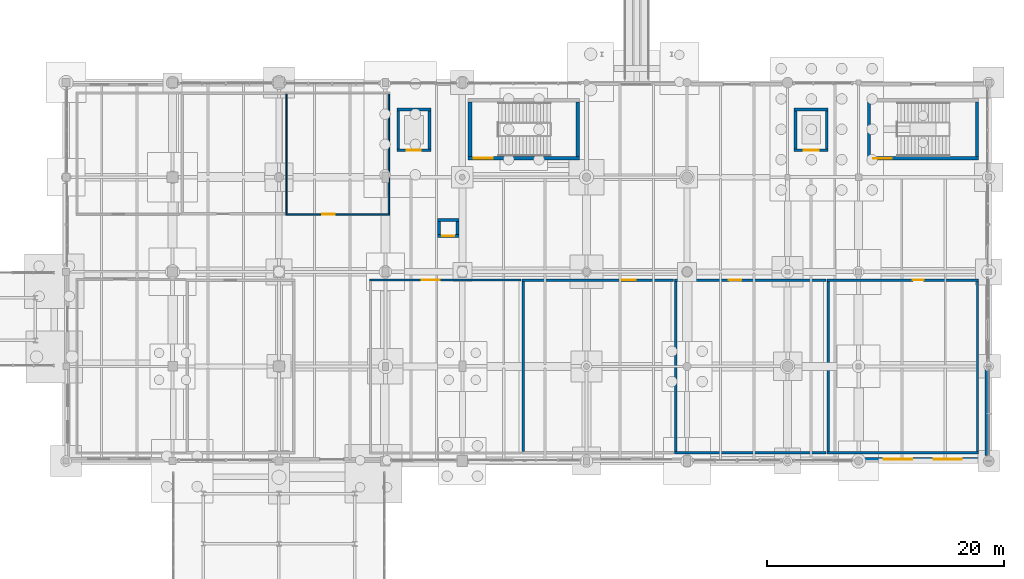
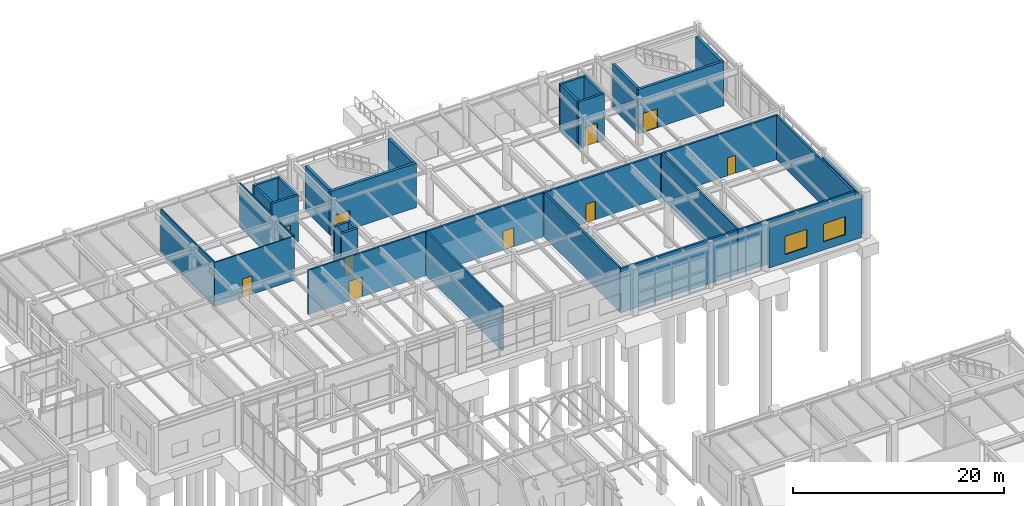
# One storey, part 182 of 203: 33 walls, 10 doors, 2 windows, 12 openings.
"""IFC4 building model written with IfcOpenShell, lengths in metres."""

from ifc_helpers import new_model, si_unit, direction, frame, frame_2d, origin, place, context, subcontext, project, spatial, rectangle, extrude, material, layer, layer_set, type_object, element, fill, save


model = new_model("IFC4")

# Units and contexts
model_context = context("Model", 3, precision=1e-05, world=origin(), true_north=direction((0.0, 1.0)))
body_context = subcontext(model_context, "Body", "Model", "MODEL_VIEW")
ifc_project = project(units=[si_unit("LENGTHUNIT", "METRE"), si_unit("AREAUNIT", "SQUARE_METRE"), si_unit("VOLUMEUNIT", "CUBIC_METRE"), si_unit("PLANEANGLEUNIT", "RADIAN"), si_unit("MASSUNIT", "GRAM", prefix="KILO"), si_unit("THERMODYNAMICTEMPERATUREUNIT", "KELVIN"), si_unit("POWERUNIT", "WATT")], contexts=[model_context])

# Site, building, storey
site_placement = place(None, origin())
site = spatial("IfcSite", under=ifc_project, at=site_placement, CompositionType="ELEMENT")
building_placement = place(site_placement, origin())
building = spatial("IfcBuilding", under=site, at=building_placement, Name="Tepalcoro Natatorium and Aquatics Centre", CompositionType="ELEMENT")
storey_placement = place(building_placement, origin())
storey = spatial("IfcBuildingStorey", under=building, at=storey_placement, Name="L00", CompositionType="ELEMENT", Elevation=0.0)

# Wall, openings, windows
ifc_material_1 = material(Name="Precast Concrete C45/55 (fc 45 MPa)", Category="concrete")
ifc_layer_1 = layer(ifc_material_1, 0.284912109375)
ifc_layer_set_1 = layer_set([ifc_layer_1], Name="Precast Concrete C45/55 (fc 45 MPa)")
wall_type_1 = type_object("IfcWallType", Name="WL_EXT_INSUL_280", PredefinedType="SOLIDWALL", material=ifc_layer_set_1)
wall_1_placement = place(storey_placement, frame((165.35400390625, 86.142578125, 0.0), z_axis=(0.0, 0.0, 1.0), x_axis=(1.0, 0.0, 0.0)))
wall_1 = element("IfcWall", 1, at=wall_1_placement, inside=storey, type_object=wall_type_1, Name="V5 L00 S Volcanic Basalt Envelope Wall", PredefinedType="SOLIDWALL", context=body_context, shape_type="SweptSolid", body=[
    extrude(rectangle(XDim=10.19189453125, YDim=0.284912109375, at=frame_2d((5.095947265625, 0.0))), origin(), (0.0, 0.0, 1.0), 4.64990234375),
])
opening_1_placement = place(wall_1_placement, frame((1.79736328125, 0.0, 0.949951171875)))
opening_1 = element("IfcOpeningElement", 2, at=opening_1_placement, cuts=wall_1, Name="Opening W0085A", PredefinedType="OPENING", context=body_context, shape_type="SweptSolid", body=[
    extrude(rectangle(XDim=2.39990234375, YDim=2.10009765625, at=frame_2d((1.199951171875, 1.050048828125))), frame((0.0, 0.154296875, 0.0), z_axis=(0.0, -1.0, 0.0), x_axis=(1.0, 0.0, 0.0)), (0.0, 0.0, 1.0), 0.308837890625),
])
opening_2_placement = place(wall_1_placement, frame((5.99462890625, 0.0, 0.949951171875)))
opening_2 = element("IfcOpeningElement", 3, at=opening_2_placement, cuts=wall_1, Name="Opening W0085B", PredefinedType="OPENING", context=body_context, shape_type="SweptSolid", body=[
    extrude(rectangle(XDim=2.39990234375, YDim=2.10009765625, at=frame_2d((1.199951171875, 1.050048828125))), frame((0.0, 0.154296875, 0.0), z_axis=(0.0, -1.0, 0.0), x_axis=(1.0, 0.0, 0.0)), (0.0, 0.0, 1.0), 0.308837890625),
])
ifc_material_2 = material(Name="Solar-Control Bronze Tempered Low-E Double Glazing", Category="glass")
window_type = type_object("IfcWindowType", Name="WN_240x210", PartitioningType="SINGLE_PANEL", PredefinedType="WINDOW", material=ifc_material_2)
window_1_placement = place(opening_1_placement, origin())
window_1 = element("IfcWindow", 4, at=window_1_placement, inside=storey, type_object=window_type, Name="Exterior Thermal Window WN_240x210", OverallHeight=2.10009765625, OverallWidth=2.39990234375, PartitioningType="SINGLE_PANEL", PredefinedType="WINDOW", context=body_context, shape_type="SweptSolid", body=[
    extrude(rectangle(XDim=2.39990234375, YDim=2.10009765625, at=frame_2d((1.199951171875, 1.050048828125))), frame((0.0, 0.030029296875, 0.0), z_axis=(0.0, -1.0, 0.0), x_axis=(1.0, 0.0, 0.0)), (0.0, 0.0, 1.0), 0.06005859375),
])
fill(opening_1, window_1)
window_2_placement = place(opening_2_placement, origin())
window_2 = element("IfcWindow", 5, at=window_2_placement, inside=storey, type_object=window_type, Name="Exterior Thermal Window WN_240x210", OverallHeight=2.10009765625, OverallWidth=2.39990234375, PartitioningType="SINGLE_PANEL", PredefinedType="WINDOW", context=body_context, shape_type="SweptSolid", body=[
    extrude(rectangle(XDim=2.39990234375, YDim=2.10009765625, at=frame_2d((1.199951171875, 1.050048828125))), frame((0.0, 0.030029296875, 0.0), z_axis=(0.0, -1.0, 0.0), x_axis=(1.0, 0.0, 0.0)), (0.0, 0.0, 1.0), 0.06005859375),
])
fill(opening_2, window_2)

# Wall
ifc_material_3 = material(Name="Jalisco Cantera Rosa Volcanic Tuff Ashlar Masonry", Category="masonry")
ifc_layer_2 = layer(ifc_material_3, 0.304931640625)
ifc_layer_set_2 = layer_set([ifc_layer_2], Name="Jalisco Cantera Rosa Volcanic Tuff Ashlar Masonry")
wall_type_2 = type_object("IfcWallType", Name="WL_EXT_TERRACOTTA_300", PredefinedType="SOLIDWALL", material=ifc_layer_set_2)
wall_2_placement = place(storey_placement, frame((175.847412109375, 86.4541015625, 0.0), z_axis=(0.0, 0.0, 1.0), x_axis=(0.0, 1.0, 0.0)))
element("IfcWall", 6, at=wall_2_placement, inside=storey, type_object=wall_type_2, Name="V5 L00 E Volcanic Basalt Envelope Wall", PredefinedType="SOLIDWALL", context=body_context, shape_type="SweptSolid", body=[
    extrude(rectangle(XDim=7.341796875, YDim=0.304931640625, at=frame_2d((3.6708984375, 0.0))), origin(), (0.0, 0.0, 1.0), 4.498046875),
])

# Wall, opening, door
ifc_material_4 = material(Name="Moisture-Resistant Acoustic Gypsum Drywall on Cold-Formed Metal Studs")
ifc_layer_3 = layer(ifc_material_4, 0.125)
ifc_layer_set_3 = layer_set([ifc_layer_3], Name="Moisture-Resistant Acoustic Gypsum Drywall on Cold-Formed Metal Studs")
wall_type_3 = type_object("IfcWallType", Name="WL_PART_125", PredefinedType="PARTITIONING", material=ifc_layer_set_3)
wall_3_placement = place(storey_placement, frame((116.572998046875, 106.862548828125, 0.0), z_axis=(0.0, 0.0, 1.0), x_axis=(1.0, 0.0, 0.0)))
wall_3 = element("IfcWall", 7, at=wall_3_placement, inside=storey, type_object=wall_type_3, Name="Facility Administration & Security Control Office Partition S", PredefinedType="PARTITIONING", context=body_context, shape_type="SweptSolid", body=[
    extrude(rectangle(XDim=8.787109375, YDim=0.125, at=frame_2d((4.3935546875, 0.0))), origin(), (0.0, 0.0, 1.0), 5.125),
])
opening_3_placement = place(wall_3_placement, frame((3.072021484375, 0.0, 0.0)))
opening_3 = element("IfcOpeningElement", 8, at=opening_3_placement, cuts=wall_3, Name="Opening D0114", PredefinedType="OPENING", context=body_context, shape_type="SweptSolid", body=[
    extrude(rectangle(XDim=1.050048828125, YDim=2.14990234375, at=frame_2d((0.52490234375, 1.074951171875))), frame((0.0, 0.074462890625, 0.0), z_axis=(0.0, -1.0, 0.0), x_axis=(1.0, 0.0, 0.0)), (0.0, 0.0, 1.0), 0.14892578125),
])
ifc_material_5 = material(Name="Solid-Core Moisture-Sealed Oak Timber Leaf in Aluminium Frame", Category="wood")
door_type_1 = type_object("IfcDoorType", Name="DR_105x215_ACC", OperationType="NOTDEFINED", PredefinedType="DOOR", material=ifc_material_5)
door_1_placement = place(opening_3_placement, origin())
door_1 = element("IfcDoor", 9, at=door_1_placement, inside=storey, type_object=door_type_1, Name="Facility Administration & Security Control Office Door", OperationType="SINGLE_SWING_LEFT", OverallHeight=2.14990234375, OverallWidth=1.050048828125, PredefinedType="DOOR", context=body_context, shape_type="SweptSolid", body=[
    extrude(rectangle(XDim=1.050048828125, YDim=2.14990234375, at=frame_2d((0.52490234375, 1.074951171875))), frame((0.0, 0.02490234375, 0.0), z_axis=(0.0, -1.0, 0.0), x_axis=(1.0, 0.0, 0.0)), (0.0, 0.0, 1.0), 0.050048828125),
])
fill(opening_3, door_1)

# Walls
for number, where, z_axis, x_axis, name in (
    (10, (125.297607421875, 106.925048828125, 0.0), (0.0, 0.0, 1.0), (0.0, 1.0, 0.0), "Facility Administration & Security Control Office Partition E"),
    (11, (116.635498046875, 106.925048828125, 0.0), (0.0, 0.0, 1.0), (0.0, 1.0, 0.0), "Facility Administration & Security Control Office Partition W"),
):
    element("IfcWall", number, at=place(storey_placement, frame(where, z_axis=z_axis, x_axis=x_axis)), inside=storey, type_object=wall_type_3, Name=name, PredefinedType="PARTITIONING", context=body_context, shape_type="SweptSolid", body=[
        extrude(rectangle(XDim=10.14990234375, YDim=0.125, at=frame_2d((5.074951171875, 0.0))), origin(), (0.0, 0.0, 1.0), 5.125),
    ])

# Wall, opening, door
ifc_layer_4 = layer(ifc_material_4, 0.179931640625)
ifc_layer_set_4 = layer_set([ifc_layer_4], Name="Moisture-Resistant Acoustic Gypsum Drywall on Cold-Formed Metal Studs")
wall_type_4 = type_object("IfcWallType", Name="WL_PART_180_AC", PredefinedType="PARTITIONING", material=ifc_layer_set_4)
wall_4_placement = place(storey_placement, frame((123.639892578125, 101.31005859375, 0.0), z_axis=(0.0, 0.0, 1.0), x_axis=(1.0, 0.0, 0.0)))
wall_4 = element("IfcWall", 12, at=wall_4_placement, inside=storey, type_object=wall_type_4, Name="Media Mixed-Zone & Press Interview Theatre Partition N", PredefinedType="PARTITIONING", context=body_context, shape_type="SweptSolid", body=[
    extrude(rectangle(XDim=12.820068359375, YDim=0.179931640625, at=frame_2d((6.41015625, 0.0))), origin(), (0.0, 0.0, 1.0), 5.125),
])
opening_4_placement = place(wall_4_placement, frame((4.43359375, 0.0, 0.0)))
opening_4 = element("IfcOpeningElement", 13, at=opening_4_placement, cuts=wall_4, Name="Opening D0108", PredefinedType="OPENING", context=body_context, shape_type="SweptSolid", body=[
    extrude(rectangle(XDim=1.5, YDim=2.300048828125, at=frame_2d((0.75, 1.14990234375))), frame((0.0, 0.10205078125, 0.0), z_axis=(0.0, -1.0, 0.0), x_axis=(1.0, 0.0, 0.0)), (0.0, 0.0, 1.0), 0.203857421875),
])
ifc_material_6 = material(Name="Galvanised Steel Insulated Acoustic Fire Door Assembly", Category="steel")
door_type_2 = type_object("IfcDoorType", Name="DR_150x230_FD60", OperationType="NOTDEFINED", PredefinedType="DOOR", material=ifc_material_6)
door_2_placement = place(opening_4_placement, frame((1.5, 0.0, 0.0), z_axis=(0.0, 0.0, 1.0), x_axis=(-1.0, 0.0, 0.0)))
door_2 = element("IfcDoor", 14, at=door_2_placement, inside=storey, type_object=door_type_2, Name="Media Mixed-Zone & Press Interview Theatre Door", OperationType="DOUBLE_DOOR_SINGLE_SWING", OverallHeight=2.300048828125, OverallWidth=1.5, PredefinedType="DOOR", context=body_context, shape_type="SweptSolid", body=[
    extrude(rectangle(XDim=1.5, YDim=2.300048828125, at=frame_2d((0.75, 1.14990234375))), frame((0.0, 0.02490234375, 0.0), z_axis=(0.0, -1.0, 0.0), x_axis=(1.0, 0.0, 0.0)), (0.0, 0.0, 1.0), 0.050048828125),
])
fill(opening_4, door_2)

# Wall
ifc_material_7 = material(Name="Ceramic-Tiled Moisture-Resistant Masonry Blockwork", Category="masonry")
ifc_layer_5 = layer(ifc_material_7, 0.199951171875)
ifc_layer_set_5 = layer_set([ifc_layer_5], Name="Ceramic-Tiled Moisture-Resistant Masonry Blockwork")
wall_type_5 = type_object("IfcWallType", Name="WL_PLUMB_200", PredefinedType="PLUMBINGWALL", material=ifc_layer_set_5)
wall_5_placement = place(storey_placement, frame((162.340087890625, 86.699951171875, 0.0), z_axis=(0.0, 0.0, 1.0), x_axis=(1.0, 0.0, 0.0)))
element("IfcWall", 15, at=wall_5_placement, inside=storey, type_object=wall_type_5, Name="Public Accessible WC Partition S", PredefinedType="PLUMBINGWALL", context=body_context, shape_type="SweptSolid", body=[
    extrude(rectangle(XDim=12.81982421875, YDim=0.199951171875, at=frame_2d((6.409912109375, 0.0))), origin(), (0.0, 0.0, 1.0), 5.125),
])

# Wall, opening, door
wall_6_placement = place(storey_placement, frame((162.340087890625, 101.300048828125, 0.0), z_axis=(0.0, 0.0, 1.0), x_axis=(1.0, 0.0, 0.0)))
wall_6 = element("IfcWall", 16, at=wall_6_placement, inside=storey, type_object=wall_type_5, Name="Public Accessible WC Partition N", PredefinedType="PLUMBINGWALL", context=body_context, shape_type="SweptSolid", body=[
    extrude(rectangle(XDim=12.81982421875, YDim=0.199951171875, at=frame_2d((6.409912109375, 0.0))), origin(), (0.0, 0.0, 1.0), 5.125),
])
opening_5_placement = place(wall_6_placement, frame((7.25830078125, 0.0, 0.0)))
opening_5 = element("IfcOpeningElement", 17, at=opening_5_placement, cuts=wall_6, Name="Opening D0111", PredefinedType="OPENING", context=body_context, shape_type="SweptSolid", body=[
    extrude(rectangle(XDim=0.89990234375, YDim=2.10009765625, at=frame_2d((0.449951171875, 1.050048828125))), frame((0.0, 0.11181640625, 0.0), z_axis=(0.0, -1.0, 0.0), x_axis=(1.0, 0.0, 0.0)), (0.0, 0.0, 1.0), 0.223876953125),
])
door_type_3 = type_object("IfcDoorType", Name="DR_095x215_WC", OperationType="NOTDEFINED", PredefinedType="DOOR", material=ifc_material_5)
door_3_placement = place(opening_5_placement, frame((0.89990234375, 0.0, 0.0), z_axis=(0.0, 0.0, 1.0), x_axis=(-1.0, 0.0, 0.0)))
door_3 = element("IfcDoor", 18, at=door_3_placement, inside=storey, type_object=door_type_3, Name="Public Accessible WC Door", OperationType="SINGLE_SWING_RIGHT", OverallHeight=2.10009765625, OverallWidth=0.89990234375, PredefinedType="DOOR", context=body_context, shape_type="SweptSolid", body=[
    extrude(rectangle(XDim=0.89990234375, YDim=2.10009765625, at=frame_2d((0.449951171875, 1.050048828125))), frame((0.0, 0.02490234375, 0.0), z_axis=(0.0, -1.0, 0.0), x_axis=(1.0, 0.0, 0.0)), (0.0, 0.0, 1.0), 0.050048828125),
])
fill(opening_5, door_3)

# Walls
for number, where, z_axis, x_axis, name in (
    (19, (175.06005859375, 86.800048828125, 0.0), (0.0, 0.0, 1.0), (0.0, 1.0, 0.0), "Public Accessible WC Partition E"),
    (20, (162.43994140625, 86.800048828125, 0.0), (0.0, 0.0, 1.0), (0.0, 1.0, 0.0), "Public Accessible WC Partition W"),
):
    element("IfcWall", number, at=place(storey_placement, frame(where, z_axis=z_axis, x_axis=x_axis)), inside=storey, type_object=wall_type_5, Name=name, PredefinedType="PLUMBINGWALL", context=body_context, shape_type="SweptSolid", body=[
        extrude(rectangle(XDim=14.39990234375, YDim=0.199951171875, at=frame_2d((7.199951171875, 0.0))), origin(), (0.0, 0.0, 1.0), 5.125),
    ])
ifc_layer_6 = layer(ifc_material_7, 0.219970703125)
ifc_layer_set_6 = layer_set([ifc_layer_6], Name="Ceramic-Tiled Moisture-Resistant Masonry Blockwork")
wall_type_6 = type_object("IfcWallType", Name="WL_PLUMB_220", PredefinedType="PLUMBINGWALL", material=ifc_layer_set_6)
wall_7_placement = place(storey_placement, frame((149.43994140625, 86.7099609375, 0.0), z_axis=(0.0, 0.0, 1.0), x_axis=(1.0, 0.0, 0.0)))
element("IfcWall", 21, at=wall_7_placement, inside=storey, type_object=wall_type_6, Name="North Wing Public Male & Female Toilets Partition S", PredefinedType="PLUMBINGWALL", context=body_context, shape_type="SweptSolid", body=[
    extrude(rectangle(XDim=12.820068359375, YDim=0.219970703125, at=frame_2d((6.41015625, 0.0))), origin(), (0.0, 0.0, 1.0), 5.125),
])

# Wall, opening, door
wall_8_placement = place(storey_placement, frame((149.43994140625, 101.2900390625, 0.0), z_axis=(0.0, 0.0, 1.0), x_axis=(1.0, 0.0, 0.0)))
wall_8 = element("IfcWall", 22, at=wall_8_placement, inside=storey, type_object=wall_type_6, Name="North Wing Public Male & Female Toilets Partition N", PredefinedType="PLUMBINGWALL", context=body_context, shape_type="SweptSolid", body=[
    extrude(rectangle(XDim=12.820068359375, YDim=0.219970703125, at=frame_2d((6.41015625, 0.0))), origin(), (0.0, 0.0, 1.0), 5.125),
])
opening_6_placement = place(wall_8_placement, frame((4.6044921875, 0.0, 0.0)))
opening_6 = element("IfcOpeningElement", 23, at=opening_6_placement, cuts=wall_8, Name="Opening D0110", PredefinedType="OPENING", context=body_context, shape_type="SweptSolid", body=[
    extrude(rectangle(XDim=1.050048828125, YDim=2.14990234375, at=frame_2d((0.52490234375, 1.074951171875))), frame((0.0, 0.1220703125, 0.0), z_axis=(0.0, -1.0, 0.0), x_axis=(1.0, 0.0, 0.0)), (0.0, 0.0, 1.0), 0.243896484375),
])
door_4_placement = place(opening_6_placement, frame((1.050048828125, 0.0, 0.0), z_axis=(0.0, 0.0, 1.0), x_axis=(-1.0, 0.0, 0.0)))
door_4 = element("IfcDoor", 24, at=door_4_placement, inside=storey, type_object=door_type_1, Name="North Wing Public Male & Female Toilets Door", OperationType="SINGLE_SWING_LEFT", OverallHeight=2.14990234375, OverallWidth=1.050048828125, PredefinedType="DOOR", context=body_context, shape_type="SweptSolid", body=[
    extrude(rectangle(XDim=1.050048828125, YDim=2.14990234375, at=frame_2d((0.52490234375, 1.074951171875))), frame((0.0, 0.02490234375, 0.0), z_axis=(0.0, -1.0, 0.0), x_axis=(1.0, 0.0, 0.0)), (0.0, 0.0, 1.0), 0.050048828125),
])
fill(opening_6, door_4)

# Wall
wall_9_placement = place(storey_placement, frame((149.550048828125, 86.820068359375, 0.0), z_axis=(0.0, 0.0, 1.0), x_axis=(0.0, 1.0, 0.0)))
element("IfcWall", 25, at=wall_9_placement, inside=storey, type_object=wall_type_6, Name="North Wing Public Male & Female Toilets Partition W", PredefinedType="PLUMBINGWALL", context=body_context, shape_type="SweptSolid", body=[
    extrude(rectangle(XDim=14.35986328125, YDim=0.219970703125, at=frame_2d((7.179931640625, 0.0))), origin(), (0.0, 0.0, 1.0), 5.125),
])

# Wall, opening, door
ifc_material_8 = material(Name="Concrete C40/50 (fc 40 MPa)", Category="concrete")
ifc_layer_7 = layer(ifc_material_8, 0.239990234375)
ifc_layer_set_7 = layer_set([ifc_layer_7], Name="Concrete C40/50 (fc 40 MPa)")
wall_type_7 = type_object("IfcWallType", Name="WL_SHAFT_240", PredefinedType="SOLIDWALL", material=ifc_layer_set_7)
wall_10_placement = place(storey_placement, frame((125.9599609375, 112.280029296875, 0.0), z_axis=(0.0, 0.0, 1.0), x_axis=(1.0, 0.0, 0.0)))
wall_10 = element("IfcWall", 26, at=wall_10_placement, inside=storey, type_object=wall_type_7, Name="LF05 Lift Shaft Wall S L00", PredefinedType="SOLIDWALL", context=body_context, shape_type="SweptSolid", body=[
    extrude(rectangle(XDim=2.880126953125, YDim=0.239990234375, at=frame_2d((1.43994140625, 0.0))), origin(), (0.0, 0.0, 1.0), 5.39990234375),
])
opening_7_placement = place(wall_10_placement, frame((0.840087890625, 0.0, 0.0)))
opening_7 = element("IfcOpeningElement", 27, at=opening_7_placement, cuts=wall_10, Name="Opening LD-LF05-L00", PredefinedType="OPENING", context=body_context, shape_type="SweptSolid", body=[
    extrude(rectangle(XDim=1.199951171875, YDim=2.199951171875, at=frame_2d((0.60009765625, 1.10009765625))), frame((0.0, 0.1318359375, 0.0), z_axis=(0.0, -1.0, 0.0), x_axis=(1.0, 0.0, 0.0)), (0.0, 0.0, 1.0), 0.263916015625),
])
ifc_material_9 = material(Name="Marine-Grade Brushed Stainless Steel AISI 316L", Category="steel")
door_type_4 = type_object("IfcDoorType", Name="DR_120x220_LIFT", OperationType="NOTDEFINED", PredefinedType="USERDEFINED", material=ifc_material_9)
door_5_placement = place(opening_7_placement, origin())
door_5 = element("IfcDoor", 28, at=door_5_placement, inside=storey, type_object=door_type_4, Name="LF05 Lift Landing Sliding Door (L00)", ObjectType="SLIDING LANDING DOOR", OperationType="SLIDING_TO_LEFT", OverallHeight=2.199951171875, OverallWidth=1.199951171875, PredefinedType="USERDEFINED", context=body_context, shape_type="SweptSolid", body=[
    extrude(rectangle(XDim=1.199951171875, YDim=2.199951171875, at=frame_2d((0.60009765625, 1.10009765625))), frame((0.0, 0.02490234375, 0.0), z_axis=(0.0, -1.0, 0.0), x_axis=(1.0, 0.0, 0.0)), (0.0, 0.0, 1.0), 0.050048828125),
])
fill(opening_7, door_5)

# Walls
wall_11_placement = place(storey_placement, frame((125.9599609375, 115.719970703125, 0.0), z_axis=(0.0, 0.0, 1.0), x_axis=(1.0, 0.0, 0.0)))
element("IfcWall", 29, at=wall_11_placement, inside=storey, type_object=wall_type_7, Name="LF05 Lift Shaft Wall N L00", PredefinedType="SOLIDWALL", context=body_context, shape_type="SweptSolid", body=[
    extrude(rectangle(XDim=2.880126953125, YDim=0.239990234375, at=frame_2d((1.43994140625, 0.0))), origin(), (0.0, 0.0, 1.0), 5.39990234375),
])
for number, where, z_axis, x_axis, name in (
    (30, (126.080078125, 112.39990234375, 0.0), (0.0, 0.0, 1.0), (0.0, 1.0, 0.0), "LF05 Lift Shaft Wall W L00"),
    (31, (128.719970703125, 112.39990234375, 0.0), (0.0, 0.0, 1.0), (0.0, 1.0, 0.0), "LF05 Lift Shaft Wall E L00"),
):
    element("IfcWall", number, at=place(storey_placement, frame(where, z_axis=z_axis, x_axis=x_axis)), inside=storey, type_object=wall_type_7, Name=name, PredefinedType="SOLIDWALL", context=body_context, shape_type="SweptSolid", body=[
        extrude(rectangle(XDim=3.2001953125, YDim=0.239990234375, at=frame_2d((1.60009765625, 0.0))), origin(), (0.0, 0.0, 1.0), 5.39990234375),
    ])

# Wall, opening, door
wall_12_placement = place(storey_placement, frame((159.56005859375, 112.280029296875, 0.0), z_axis=(0.0, 0.0, 1.0), x_axis=(1.0, 0.0, 0.0)))
wall_12 = element("IfcWall", 32, at=wall_12_placement, inside=storey, type_object=wall_type_7, Name="LF06 Lift Shaft Wall S L00", PredefinedType="SOLIDWALL", context=body_context, shape_type="SweptSolid", body=[
    extrude(rectangle(XDim=2.8798828125, YDim=0.239990234375, at=frame_2d((1.43994140625, 0.0))), origin(), (0.0, 0.0, 1.0), 5.39990234375),
])
opening_8_placement = place(wall_12_placement, frame((0.7900390625, 0.0, 0.0)))
opening_8 = element("IfcOpeningElement", 33, at=opening_8_placement, cuts=wall_12, Name="Opening LD-LF06-L00", PredefinedType="OPENING", context=body_context, shape_type="SweptSolid", body=[
    extrude(rectangle(XDim=1.300048828125, YDim=2.25, at=frame_2d((0.64990234375, 1.125))), frame((0.0, 0.1318359375, 0.0), z_axis=(0.0, -1.0, 0.0), x_axis=(1.0, 0.0, 0.0)), (0.0, 0.0, 1.0), 0.263916015625),
])
door_type_5 = type_object("IfcDoorType", Name="DR_130x225_LIFT", OperationType="NOTDEFINED", PredefinedType="USERDEFINED", material=ifc_material_9)
door_6_placement = place(opening_8_placement, origin())
door_6 = element("IfcDoor", 34, at=door_6_placement, inside=storey, type_object=door_type_5, Name="LF06 Lift Landing Sliding Door (L00)", ObjectType="SLIDING LANDING DOOR", OperationType="SLIDING_TO_LEFT", OverallHeight=2.25, OverallWidth=1.300048828125, PredefinedType="USERDEFINED", context=body_context, shape_type="SweptSolid", body=[
    extrude(rectangle(XDim=1.300048828125, YDim=2.25, at=frame_2d((0.64990234375, 1.125))), frame((0.0, 0.02490234375, 0.0), z_axis=(0.0, -1.0, 0.0), x_axis=(1.0, 0.0, 0.0)), (0.0, 0.0, 1.0), 0.050048828125),
])
fill(opening_8, door_6)

# Walls
wall_13_placement = place(storey_placement, frame((159.56005859375, 115.719970703125, 0.0), z_axis=(0.0, 0.0, 1.0), x_axis=(1.0, 0.0, 0.0)))
element("IfcWall", 35, at=wall_13_placement, inside=storey, type_object=wall_type_7, Name="LF06 Lift Shaft Wall N L00", PredefinedType="SOLIDWALL", context=body_context, shape_type="SweptSolid", body=[
    extrude(rectangle(XDim=2.8798828125, YDim=0.239990234375, at=frame_2d((1.43994140625, 0.0))), origin(), (0.0, 0.0, 1.0), 5.39990234375),
])
for number, where, z_axis, x_axis, name in (
    (36, (159.679931640625, 112.39990234375, 0.0), (0.0, 0.0, 1.0), (0.0, 1.0, 0.0), "LF06 Lift Shaft Wall W L00"),
    (37, (162.320068359375, 112.39990234375, 0.0), (0.0, 0.0, 1.0), (0.0, 1.0, 0.0), "LF06 Lift Shaft Wall E L00"),
):
    element("IfcWall", number, at=place(storey_placement, frame(where, z_axis=z_axis, x_axis=x_axis)), inside=storey, type_object=wall_type_7, Name=name, PredefinedType="SOLIDWALL", context=body_context, shape_type="SweptSolid", body=[
        extrude(rectangle(XDim=3.2001953125, YDim=0.239990234375, at=frame_2d((1.60009765625, 0.0))), origin(), (0.0, 0.0, 1.0), 5.39990234375),
    ])

# Wall, opening, door
ifc_layer_8 = layer(ifc_material_8, 0.280029296875)
ifc_layer_set_8 = layer_set([ifc_layer_8], Name="Concrete C40/50 (fc 40 MPa)")
wall_type_8 = type_object("IfcWallType", Name="WL_SHEAR_280", PredefinedType="SHEAR", material=ifc_layer_set_8)
wall_14_placement = place(storey_placement, frame((165.75, 111.590087890625, 0.0), z_axis=(0.0, 0.0, 1.0), x_axis=(1.0, 0.0, 0.0)))
wall_14 = element("IfcWall", 38, at=wall_14_placement, inside=storey, type_object=wall_type_8, Name="ST10 Core Shear Wall S L00", PredefinedType="SHEAR", context=body_context, shape_type="SweptSolid", body=[
    extrude(rectangle(XDim=9.39990234375, YDim=0.280029296875, at=frame_2d((4.699951171875, 0.0))), origin(), (0.0, 0.0, 1.0), 5.139892578125),
])
opening_9_placement = place(wall_14_placement, frame((0.47998046875, 0.0, 0.0)))
opening_9 = element("IfcOpeningElement", 39, at=opening_9_placement, cuts=wall_14, Name="Opening D0038", PredefinedType="OPENING", context=body_context, shape_type="SweptSolid", body=[
    extrude(rectangle(XDim=1.60009765625, YDim=2.199951171875, at=frame_2d((0.800048828125, 1.10009765625))), frame((0.0, 0.15185546875, 0.0), z_axis=(0.0, -1.0, 0.0), x_axis=(1.0, 0.0, 0.0)), (0.0, 0.0, 1.0), 0.303955078125),
])
door_type_6 = type_object("IfcDoorType", Name="DR_160x220_FD90", OperationType="NOTDEFINED", PredefinedType="DOOR", material=ifc_material_6)
door_7_placement = place(opening_9_placement, frame((1.60009765625, 0.0, 0.0), z_axis=(0.0, 0.0, 1.0), x_axis=(-1.0, 0.0, 0.0)))
door_7 = element("IfcDoor", 40, at=door_7_placement, inside=storey, type_object=door_type_6, Name="ST10 Fire Stair Door (L00)", OperationType="DOUBLE_DOOR_SINGLE_SWING", OverallHeight=2.199951171875, OverallWidth=1.60009765625, PredefinedType="DOOR", context=body_context, shape_type="SweptSolid", body=[
    extrude(rectangle(XDim=1.60009765625, YDim=2.199951171875, at=frame_2d((0.800048828125, 1.10009765625))), frame((0.0, 0.02490234375, 0.0), z_axis=(0.0, -1.0, 0.0), x_axis=(1.0, 0.0, 0.0)), (0.0, 0.0, 1.0), 0.050048828125),
])
fill(opening_9, door_7)

# Walls
for number, where, z_axis, x_axis, name in (
    (41, (165.889892578125, 111.72998046875, 0.0), (0.0, 0.0, 1.0), (0.0, 1.0, 0.0), "ST10 Core Shear Wall W L00"),
    (42, (175.010009765625, 111.72998046875, 0.0), (0.0, 0.0, 1.0), (0.0, 1.0, 0.0), "ST10 Core Shear Wall E L00"),
):
    element("IfcWall", number, at=place(storey_placement, frame(where, z_axis=z_axis, x_axis=x_axis)), inside=storey, type_object=wall_type_8, Name=name, PredefinedType="SHEAR", context=body_context, shape_type="SweptSolid", body=[
        extrude(rectangle(XDim=4.64013671875, YDim=0.280029296875, at=frame_2d((2.320068359375, 0.0))), origin(), (0.0, 0.0, 1.0), 5.139892578125),
    ])

# Wall, opening, door
ifc_layer_9 = layer(ifc_material_8, 0.300048828125)
ifc_layer_set_9 = layer_set([ifc_layer_9], Name="Concrete C40/50 (fc 40 MPa)")
wall_type_9 = type_object("IfcWallType", Name="WL_SHEAR_300", PredefinedType="SHEAR", material=ifc_layer_set_9)
wall_15_placement = place(storey_placement, frame((132.0, 111.60009765625, 0.0), z_axis=(0.0, 0.0, 1.0), x_axis=(1.0, 0.0, 0.0)))
wall_15 = element("IfcWall", 43, at=wall_15_placement, inside=storey, type_object=wall_type_9, Name="ST09 Core Shear Wall S L00", PredefinedType="SHEAR", context=body_context, shape_type="SweptSolid", body=[
    extrude(rectangle(XDim=9.39990234375, YDim=0.300048828125, at=frame_2d((4.699951171875, 0.0))), origin(), (0.0, 0.0, 1.0), 5.139892578125),
])
opening_10_placement = place(wall_15_placement, frame((0.47998046875, 0.0, 0.0)))
opening_10 = element("IfcOpeningElement", 44, at=opening_10_placement, cuts=wall_15, Name="Opening D0033", PredefinedType="OPENING", context=body_context, shape_type="SweptSolid", body=[
    extrude(rectangle(XDim=1.60009765625, YDim=2.199951171875, at=frame_2d((0.800048828125, 1.10009765625))), frame((0.0, 0.162109375, 0.0), z_axis=(0.0, -1.0, 0.0), x_axis=(1.0, 0.0, 0.0)), (0.0, 0.0, 1.0), 0.323974609375),
])
door_8_placement = place(opening_10_placement, frame((1.60009765625, 0.0, 0.0), z_axis=(0.0, 0.0, 1.0), x_axis=(-1.0, 0.0, 0.0)))
door_8 = element("IfcDoor", 45, at=door_8_placement, inside=storey, type_object=door_type_6, Name="ST09 Fire Stair Door (L00)", OperationType="DOUBLE_DOOR_SINGLE_SWING", OverallHeight=2.199951171875, OverallWidth=1.60009765625, PredefinedType="DOOR", context=body_context, shape_type="SweptSolid", body=[
    extrude(rectangle(XDim=1.60009765625, YDim=2.199951171875, at=frame_2d((0.800048828125, 1.10009765625))), frame((0.0, 0.02490234375, 0.0), z_axis=(0.0, -1.0, 0.0), x_axis=(1.0, 0.0, 0.0)), (0.0, 0.0, 1.0), 0.050048828125),
])
fill(opening_10, door_8)

# Walls
for number, where, z_axis, x_axis, name in (
    (46, (132.14990234375, 111.75, 0.0), (0.0, 0.0, 1.0), (0.0, 1.0, 0.0), "ST09 Core Shear Wall W L00"),
    (47, (141.25, 111.75, 0.0), (0.0, 0.0, 1.0), (0.0, 1.0, 0.0), "ST09 Core Shear Wall E L00"),
):
    element("IfcWall", number, at=place(storey_placement, frame(where, z_axis=z_axis, x_axis=x_axis)), inside=storey, type_object=wall_type_9, Name=name, PredefinedType="SHEAR", context=body_context, shape_type="SweptSolid", body=[
        extrude(rectangle(XDim=4.60009765625, YDim=0.300048828125, at=frame_2d((2.300048828125, 0.0))), origin(), (0.0, 0.0, 1.0), 5.139892578125),
    ])

# Wall, opening, door
ifc_material_10 = material(Name="Concrete C35/45 (fc 35 MPa)", Category="concrete")
ifc_layer_10 = layer(ifc_material_10, 0.205078125)
ifc_layer_set_10 = layer_set([ifc_layer_10], Name="Concrete C35/45 (fc 35 MPa)")
wall_type_10 = type_object("IfcWallType", Name="WL_SOLID_200_FR120", PredefinedType="SOLIDWALL", material=ifc_layer_set_10)
wall_16_placement = place(storey_placement, frame((136.5400390625, 101.297607421875, 0.0), z_axis=(0.0, 0.0, 1.0), x_axis=(1.0, 0.0, 0.0)))
wall_16 = element("IfcWall", 48, at=wall_16_placement, inside=storey, type_object=wall_type_10, Name="Broadcast Compound & OB Van Patch Room Partition N", PredefinedType="SOLIDWALL", context=body_context, shape_type="SweptSolid", body=[
    extrude(rectangle(XDim=12.820068359375, YDim=0.205078125, at=frame_2d((6.41015625, 0.0))), origin(), (0.0, 0.0, 1.0), 5.125),
])
opening_11_placement = place(wall_16_placement, frame((8.43994140625, 0.0, 0.0)))
opening_11 = element("IfcOpeningElement", 49, at=opening_11_placement, cuts=wall_16, Name="Opening D0109", PredefinedType="OPENING", context=body_context, shape_type="SweptSolid", body=[
    extrude(rectangle(XDim=1.199951171875, YDim=2.199951171875, at=frame_2d((0.60009765625, 1.10009765625))), frame((0.0, 0.114501953125, 0.0), z_axis=(0.0, -1.0, 0.0), x_axis=(1.0, 0.0, 0.0)), (0.0, 0.0, 1.0), 0.22900390625),
])
door_type_7 = type_object("IfcDoorType", Name="DR_120x220_FD60", OperationType="NOTDEFINED", PredefinedType="DOOR", material=ifc_material_6)
door_9_placement = place(opening_11_placement, frame((1.199951171875, 0.0, 0.0), z_axis=(0.0, 0.0, 1.0), x_axis=(-1.0, 0.0, 0.0)))
door_9 = element("IfcDoor", 50, at=door_9_placement, inside=storey, type_object=door_type_7, Name="Broadcast Compound & OB Van Patch Room Door", OperationType="SINGLE_SWING_RIGHT", OverallHeight=2.199951171875, OverallWidth=1.199951171875, PredefinedType="DOOR", context=body_context, shape_type="SweptSolid", body=[
    extrude(rectangle(XDim=1.199951171875, YDim=2.199951171875, at=frame_2d((0.60009765625, 1.10009765625))), frame((0.0, 0.02490234375, 0.0), z_axis=(0.0, -1.0, 0.0), x_axis=(1.0, 0.0, 0.0)), (0.0, 0.0, 1.0), 0.050048828125),
])
fill(opening_11, door_9)

# Wall
wall_17_placement = place(storey_placement, frame((136.642578125, 86.804931640625, 0.0), z_axis=(0.0, 0.0, 1.0), x_axis=(0.0, 1.0, 0.0)))
element("IfcWall", 51, at=wall_17_placement, inside=storey, type_object=wall_type_10, Name="Broadcast Compound & OB Van Patch Room Partition W", PredefinedType="SOLIDWALL", context=body_context, shape_type="SweptSolid", body=[
    extrude(rectangle(XDim=14.39013671875, YDim=0.205078125, at=frame_2d((7.195068359375, 0.0))), origin(), (0.0, 0.0, 1.0), 5.125),
])

# Wall, opening, door
ifc_layer_11 = layer(ifc_material_10, 0.2451171875)
ifc_layer_set_11 = layer_set([ifc_layer_11], Name="Concrete C35/45 (fc 35 MPa)")
wall_type_11 = type_object("IfcWallType", Name="WL_SOLID_240_FR120", PredefinedType="SOLIDWALL", material=ifc_layer_set_11)
wall_18_placement = place(storey_placement, frame((129.39990234375, 105.0224609375, 0.0), z_axis=(0.0, 0.0, 1.0), x_axis=(1.0, 0.0, 0.0)))
wall_18 = element("IfcWall", 52, at=wall_18_placement, inside=storey, type_object=wall_type_11, Name="V5 L00 MEP Switchgear & Telecom Closet Partition S", PredefinedType="SOLIDWALL", context=body_context, shape_type="SweptSolid", body=[
    extrude(rectangle(XDim=1.800048828125, YDim=0.2451171875, at=frame_2d((0.89990234375, 0.0))), origin(), (0.0, 0.0, 1.0), 5.125),
])
opening_12_placement = place(wall_18_placement, frame((0.39990234375, 0.0, 0.0)))
opening_12 = element("IfcOpeningElement", 53, at=opening_12_placement, cuts=wall_18, Name="Opening D0047", PredefinedType="OPENING", context=body_context, shape_type="SweptSolid", body=[
    extrude(rectangle(XDim=1.0, YDim=2.199951171875, at=frame_2d((0.5, 1.10009765625))), frame((0.0, 0.134521484375, 0.0), z_axis=(0.0, -1.0, 0.0), x_axis=(1.0, 0.0, 0.0)), (0.0, 0.0, 1.0), 0.26904296875),
])
door_type_8 = type_object("IfcDoorType", Name="DR_100x220_FD60", OperationType="NOTDEFINED", PredefinedType="DOOR", material=ifc_material_6)
door_10_placement = place(opening_12_placement, origin())
door_10 = element("IfcDoor", 54, at=door_10_placement, inside=storey, type_object=door_type_8, Name="V5 L00 MEP Switchgear & Telecom Closet Door", OperationType="SINGLE_SWING_LEFT", OverallHeight=2.199951171875, OverallWidth=1.0, PredefinedType="DOOR", context=body_context, shape_type="SweptSolid", body=[
    extrude(rectangle(XDim=1.0, YDim=2.199951171875, at=frame_2d((0.5, 1.10009765625))), frame((0.0, 0.02490234375, 0.0), z_axis=(0.0, -1.0, 0.0), x_axis=(1.0, 0.0, 0.0)), (0.0, 0.0, 1.0), 0.050048828125),
])
fill(opening_12, door_10)

# Walls
wall_19_placement = place(storey_placement, frame((129.39990234375, 106.37744140625, 0.0), z_axis=(0.0, 0.0, 1.0), x_axis=(1.0, 0.0, 0.0)))
element("IfcWall", 55, at=wall_19_placement, inside=storey, type_object=wall_type_11, Name="V5 L00 MEP Switchgear & Telecom Closet Partition N", PredefinedType="SOLIDWALL", context=body_context, shape_type="SweptSolid", body=[
    extrude(rectangle(XDim=1.800048828125, YDim=0.2451171875, at=frame_2d((0.89990234375, 0.0))), origin(), (0.0, 0.0, 1.0), 5.125),
])
for number, where, z_axis, x_axis, name in (
    (56, (131.077392578125, 105.14501953125, 0.0), (0.0, 0.0, 1.0), (0.0, 1.0, 0.0), "V5 L00 MEP Switchgear & Telecom Closet Partition E"),
    (57, (129.5224609375, 105.14501953125, 0.0), (0.0, 0.0, 1.0), (0.0, 1.0, 0.0), "V5 L00 MEP Switchgear & Telecom Closet Partition W"),
):
    element("IfcWall", number, at=place(storey_placement, frame(where, z_axis=z_axis, x_axis=x_axis)), inside=storey, type_object=wall_type_11, Name=name, PredefinedType="SOLIDWALL", context=body_context, shape_type="SweptSolid", body=[
        extrude(rectangle(XDim=1.10986328125, YDim=0.2451171875, at=frame_2d((0.554931640625, 0.0))), origin(), (0.0, 0.0, 1.0), 5.125),
    ])

save(model, "model.ifc")
